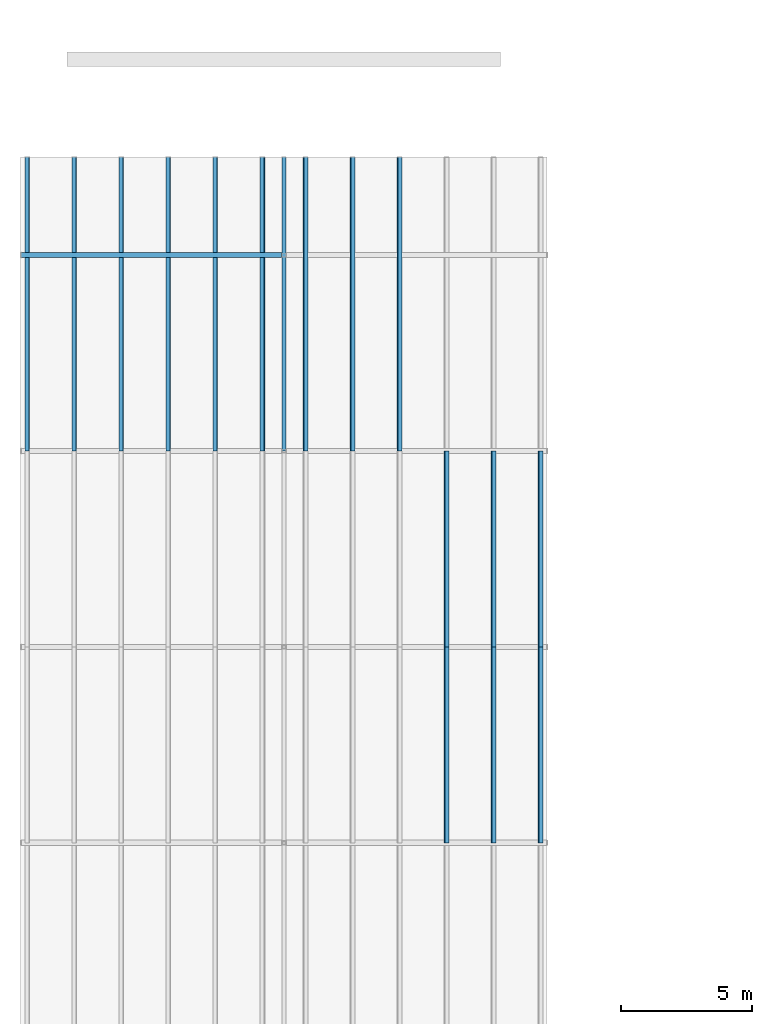
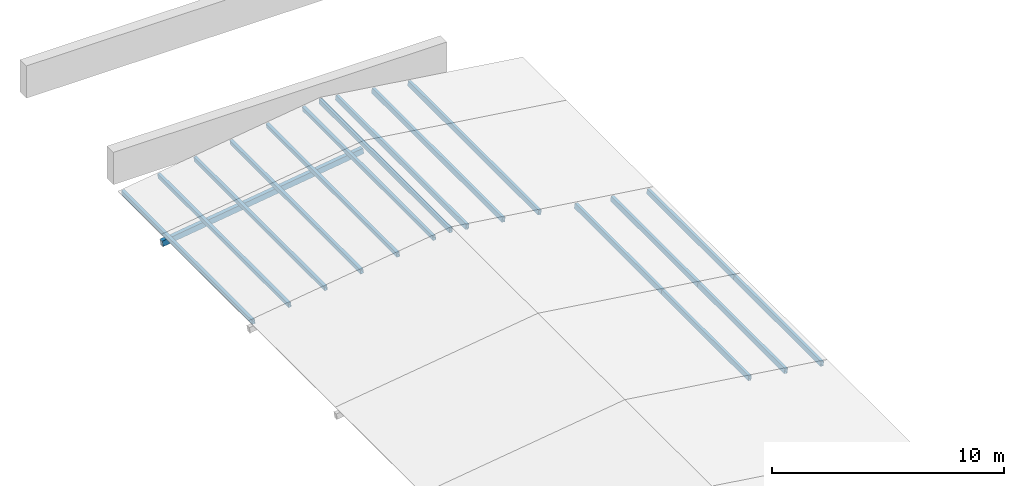
# One storey, part 10 of 52: 17 members.
"""IFC4 building model written with IfcOpenShell, lengths in metres."""

from ifc_helpers import new_model, si_unit, direction, frame, origin, origin_2d, place, context, subcontext, project, spatial, hollow_rectangle, extrude, material, material_profile, profile_set, type_object, element, save


model = new_model("IFC4")

# Units and contexts
model_context = context("Model", 3, precision=1e-05, world=origin(), true_north=direction((0.0, 1.0)))
body_context = subcontext(model_context, "Body", "Model", "MODEL_VIEW")
ifc_project = project(units=[si_unit("LENGTHUNIT", "METRE"), si_unit("AREAUNIT", "SQUARE_METRE"), si_unit("VOLUMEUNIT", "CUBIC_METRE"), si_unit("PLANEANGLEUNIT", "RADIAN"), si_unit("MASSUNIT", "GRAM", prefix="KILO")], contexts=[model_context])

# Site, building, storey
site_placement = place(None, origin())
site = spatial("IfcSite", under=ifc_project, at=site_placement, CompositionType="ELEMENT")
building_placement = place(site_placement, origin())
building = spatial("IfcBuilding", under=site, at=building_placement, Name="Cour d'Honneur Mobility Palace", CompositionType="ELEMENT")
storey_placement = place(building_placement, frame((0.0, 0.0, 23.0)))
storey = spatial("IfcBuildingStorey", under=building, at=storey_placement, Name="L06", CompositionType="ELEMENT", Elevation=23.0)

# Members
ifc_material_1 = material(Name="Steel S355", Category="steel")
ifc_material_profile_1 = material_profile(ifc_material_1, hollow_rectangle(XDim=0.14990234375, YDim=0.25, WallThickness=0.010009765625, at=origin_2d()), Name="RHS 250x150x10")
ifc_profile_set_1 = profile_set([ifc_material_profile_1], Name="Steel S355")
member_type_1 = type_object("IfcMemberType", Name="Terrace purlin RHS 250x150x10", PredefinedType="PURLIN", material=ifc_profile_set_1)
for number, where, z_axis, x_axis, name in (
    (1, (-1.125, 92.39990234375, 0.55419921875), (0.0, 1.0, 0.0), (-0.990349673475, 0.0, -0.138591212736), "Terrace purlin TU-C1.4"),
    (2, (0.675048828125, 92.39990234375, 0.80615234375), (0.0, 1.0, 0.0), (-0.990349673475, 0.0, -0.138591212736), "Terrace purlin TU-C2.4"),
    (3, (2.47509765625, 92.39990234375, 1.05810546875), (0.0, 1.0, 0.0), (-0.990349673475, 0.0, -0.138591212736), "Terrace purlin TU-C3.4"),
    (4, (4.27490234375, 92.39990234375, 1.309814453125), (0.0, 1.0, 0.0), (-0.990349673475, 0.0, -0.138591212736), "Terrace purlin TU-C4.4"),
    (5, (6.074951171875, 92.39990234375, 1.561767578125), (0.0, 1.0, 0.0), (-0.990349673475, 0.0, -0.138591212736), "Terrace purlin TU-C5.4"),
    (6, (7.875, 92.39990234375, 1.813720703125), (0.0, 1.0, 0.0), (-0.990349673475, 0.0, -0.138591212736), "Terrace purlin TU-C6.4"),
):
    element("IfcMember", number, at=place(storey_placement, frame(where, z_axis=z_axis, x_axis=x_axis)), inside=storey, type_object=member_type_1, Name=name, PredefinedType="PURLIN", context=body_context, shape_type="SweptSolid", body=[
        extrude(hollow_rectangle(XDim=0.14990234375, YDim=0.25, WallThickness=0.010009765625, at=origin_2d()), origin(), (0.0, 0.0, 1.0), 11.25),
    ])
for number, where, z_axis, x_axis, name in (
    (7, (18.52490234375, 77.39990234375, 0.55419921875), (0.0, 1.0, 0.0), (-0.990349673475, 0.0, 0.138591212736), "Terrace purlin TU-C7.2"),
    (8, (18.52490234375, 84.89990234375, 0.55419921875), (0.0, 1.0, 0.0), (-0.990349673475, 0.0, 0.138591212736), "Terrace purlin TU-C7.3"),
    (9, (16.72509765625, 77.39990234375, 0.80615234375), (0.0, 1.0, 0.0), (-0.990349673475, 0.0, 0.138591212736), "Terrace purlin TU-C8.2"),
    (10, (16.72509765625, 84.89990234375, 0.80615234375), (0.0, 1.0, 0.0), (-0.990349673475, 0.0, 0.138591212736), "Terrace purlin TU-C8.3"),
    (11, (14.925048828125, 77.39990234375, 1.05810546875), (0.0, 1.0, 0.0), (-0.990349673475, 0.0, 0.138591212736), "Terrace purlin TU-C9.2"),
    (12, (14.925048828125, 84.89990234375, 1.05810546875), (0.0, 1.0, 0.0), (-0.990349673475, 0.0, 0.138591212736), "Terrace purlin TU-C9.3"),
):
    element("IfcMember", number, at=place(storey_placement, frame(where, z_axis=z_axis, x_axis=x_axis)), inside=storey, type_object=member_type_1, Name=name, PredefinedType="PURLIN", context=body_context, shape_type="SweptSolid", body=[
        extrude(hollow_rectangle(XDim=0.14990234375, YDim=0.25, WallThickness=0.010009765625, at=origin_2d()), origin(), (0.0, 0.0, 1.0), 7.5),
    ])
for number, where, z_axis, x_axis, name in (
    (13, (13.125, 92.39990234375, 1.309814453125), (0.0, 1.0, 0.0), (-0.990349673475, 0.0, 0.138591212736), "Terrace purlin TU-C10.4"),
    (14, (11.324951171875, 92.39990234375, 1.561767578125), (0.0, 1.0, 0.0), (-0.990349673475, 0.0, 0.138591212736), "Terrace purlin TU-C11.4"),
    (15, (9.52490234375, 92.39990234375, 1.813720703125), (0.0, 1.0, 0.0), (-0.990349673475, 0.0, 0.138591212736), "Terrace purlin TU-C12.4"),
    (16, (8.699951171875, 92.39990234375, 1.927978515625), (0.0, 1.0, 0.0), (-1.0, 0.0, 0.0), "Terrace purlin TU-C13.4"),
):
    element("IfcMember", number, at=place(storey_placement, frame(where, z_axis=z_axis, x_axis=x_axis)), inside=storey, type_object=member_type_1, Name=name, PredefinedType="PURLIN", context=body_context, shape_type="SweptSolid", body=[
        extrude(hollow_rectangle(XDim=0.14990234375, YDim=0.25, WallThickness=0.010009765625, at=origin_2d()), origin(), (0.0, 0.0, 1.0), 11.25),
    ])
ifc_material_2 = material(Name="Steel S355", Category="steel")
ifc_material_profile_2 = material_profile(ifc_material_2, hollow_rectangle(XDim=0.199951171875, YDim=0.300048828125, WallThickness=0.012451171875, at=origin_2d()), Name="RHS 300x200x12.5")
ifc_profile_set_2 = profile_set([ifc_material_profile_2], Name="Steel S355")
member_type_2 = type_object("IfcMemberType", Name="Terrace rafter RHS 300x200x12.5", PredefinedType="RAFTER", material=ifc_profile_set_2)
member_placement = place(storey_placement, frame((-1.375, 99.89990234375, 0.241455078125), z_axis=(0.990349712833, 0.0, 0.138590931493), x_axis=(0.0, 1.0, 0.0)))
element("IfcMember", 17, at=member_placement, inside=storey, type_object=member_type_2, Name="Terrace rafter TF-C5W", PredefinedType="RAFTER", context=body_context, shape_type="SweptSolid", body=[
    extrude(hollow_rectangle(XDim=0.199951171875, YDim=0.300048828125, WallThickness=0.012451171875, at=origin_2d()), origin(), (0.0, 0.0, 1.0), 10.097412109375),
])

save(model, "model.ifc")
